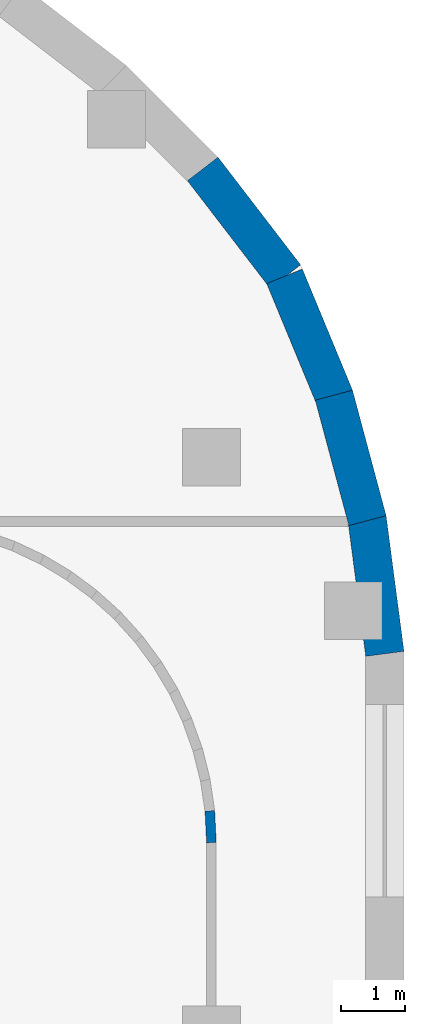
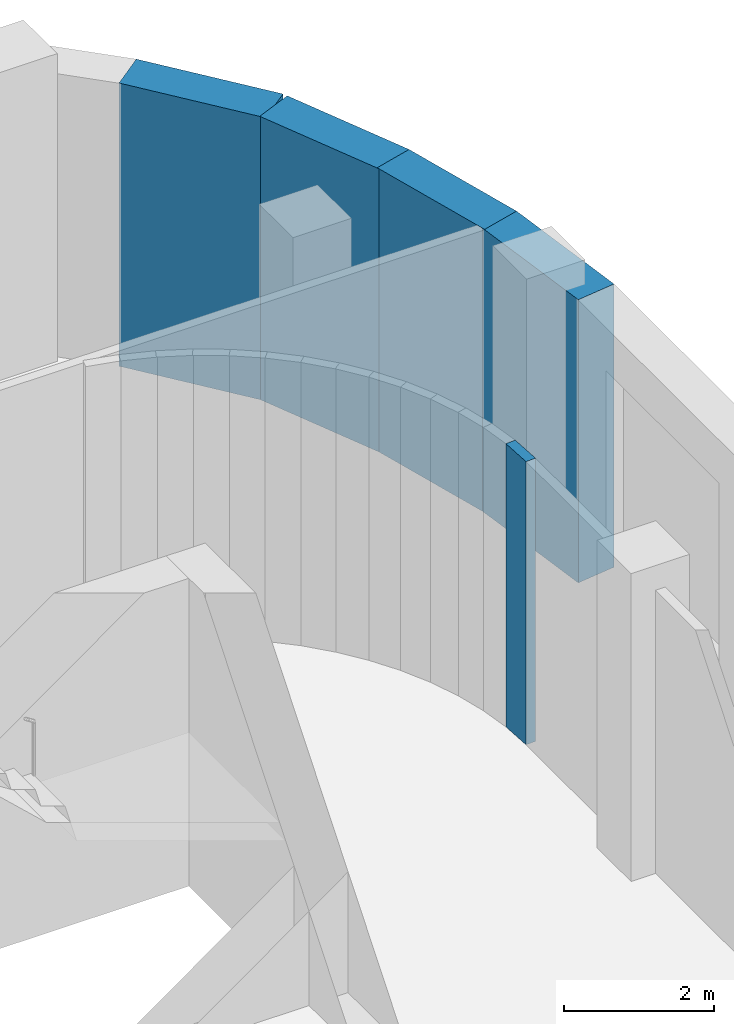
# One storey, part 22 of 25: 5 walls.
"""IFC4 building model written with IfcOpenShell, lengths in metres."""

import ifcopenshell
import ifcopenshell.guid

model = None  # the IFC model being written
_history = None  # IfcOwnerHistory: only IFC2X3 demands one
_inside = {}  # id of a spatial element -> (the spatial element, [elements in it])
_under = {}  # id of a project, library or spatial element -> (it, [spatial elements below it])
_declared = {}  # id of a project -> (the project, [libraries it declares])
_typed = {}  # id of a type object -> (the type object, [elements of that type])
_made_of = {}  # id of a material, layer set ... -> (it, [elements and type objects made of it])


def new_model(schema):
    """Start an empty IFC model of exactly this schema.

    Asked for "IFC4X3", IfcOpenShell would pick the latest addendum, in which some entities
    have other attributes; the version numbers below select the first issue.
    IFC2X3 requires an IfcOwnerHistory on every rooted entity: one is made here for all.
    """
    global model, _history
    if schema == "IFC4X3":
        model = ifcopenshell.file(schema_version=(4, 3, 0, 0))
    else:
        model = ifcopenshell.file(schema=schema)
    _inside.clear()
    _under.clear()
    _declared.clear()
    _typed.clear()
    _made_of.clear()
    _history = None
    if model.schema == "IFC2X3":
        org = make("IfcOrganization", Name="unknown")
        user = make(
            "IfcPersonAndOrganization",
            ThePerson=make("IfcPerson", FamilyName="unknown"),
            TheOrganization=org,
        )
        app = make(
            "IfcApplication",
            ApplicationDeveloper=org,
            Version="unknown",
            ApplicationFullName="unknown",
            ApplicationIdentifier="unknown",
        )
        _history = make(
            "IfcOwnerHistory",
            OwningUser=user,
            OwningApplication=app,
            ChangeAction="ADDED",
            CreationDate=0,
        )
    return model


def make(cls, **values):
    """One entity of the class cls with the attributes given. An attribute that is None is left unset."""
    return model.create_entity(
        cls, **{name: value for name, value in values.items() if value is not None}
    )


def rooted(cls, **values):
    """An entity with a GlobalId (a new one), such as an element, a storey or a relation."""
    return make(cls, GlobalId=ifcopenshell.guid.new(), OwnerHistory=_history, **values)


def si_unit(unit_type, name, prefix=None):
    """IfcSIUnit, for example si_unit("LENGTHUNIT", "METRE", prefix="MILLI")."""
    return make("IfcSIUnit", UnitType=unit_type, Prefix=prefix, Name=name)


def assignment(units):
    """IfcUnitAssignment: the units of a project."""
    return None if units is None else make("IfcUnitAssignment", Units=units)


def point(xyz):
    """IfcCartesianPoint."""
    return None if xyz is None else make("IfcCartesianPoint", Coordinates=xyz)


def direction(xyz):
    """IfcDirection."""
    return None if xyz is None else make("IfcDirection", DirectionRatios=xyz)


def frame(location, z_axis=None, x_axis=None):
    """IfcAxis2Placement3D, a coordinate frame: its origin and axes. An axis left out is left unset."""
    return make(
        "IfcAxis2Placement3D",
        Location=point(location),
        Axis=direction(z_axis),
        RefDirection=direction(x_axis),
    )


def frame_2d(location, x_axis=None):
    """IfcAxis2Placement2D, a coordinate frame in the plane: its origin and x axis."""
    return make(
        "IfcAxis2Placement2D", Location=point(location), RefDirection=direction(x_axis)
    )


def origin():
    """The frame at (0, 0, 0) with its axes left unset."""
    return frame((0.0, 0.0, 0.0))


def place(relative_to, where):
    """IfcLocalPlacement: puts the frame where relative to a parent placement (None: the world)."""
    return make(
        "IfcLocalPlacement", PlacementRelTo=relative_to, RelativePlacement=where
    )


def context(
    kind, dimensions, precision=None, world=None, true_north=None, identifier=None
):
    """IfcGeometricRepresentationContext, for example the 3D "Model" context."""
    return make(
        "IfcGeometricRepresentationContext",
        ContextIdentifier=identifier,
        ContextType=kind,
        CoordinateSpaceDimension=dimensions,
        Precision=precision,
        WorldCoordinateSystem=world,
        TrueNorth=true_north,
    )


def subcontext(parent, identifier, kind, view, scale=None):
    """IfcGeometricRepresentationSubContext, for example "Body" below "Model"."""
    return make(
        "IfcGeometricRepresentationSubContext",
        ContextIdentifier=identifier,
        ContextType=kind,
        ParentContext=parent,
        TargetScale=scale,
        TargetView=view,
    )


def project(units=None, contexts=None):
    """IfcProject with its units and contexts."""
    return rooted(
        "IfcProject",
        Name="project",
        RepresentationContexts=contexts,
        UnitsInContext=assignment(units),
    )


def spatial(cls, under=None, at=None, **own):
    """A site, building, storey or space (cls), placed at a placement, below another one or the project."""
    s = rooted(cls, ObjectPlacement=at, **own)
    if under is not None:
        _under.setdefault(under.id(), (under, []))[1].append(s)
    return s


def profile(cls, at=None, kind="AREA", **sizes):
    """A parametric profile (cls). Its sizes go by their IFC names, for example OverallWidth=200.0."""
    return make(cls, ProfileType=kind, Position=at, **sizes)


def rectangle(**sizes):
    """IfcRectangleProfileDef."""
    return profile("IfcRectangleProfileDef", **sizes)


def extrude(swept, where, along, depth):
    """IfcExtrudedAreaSolid: the profile swept, set in the frame where, extruded along a direction by depth."""
    return make(
        "IfcExtrudedAreaSolid",
        SweptArea=swept,
        Position=where,
        ExtrudedDirection=direction(along),
        Depth=depth,
    )


def shape(context_of_items, identifier, shape_type, items):
    """IfcShapeRepresentation: the items that make up one representation, for example the "Body"."""
    return make(
        "IfcShapeRepresentation",
        ContextOfItems=context_of_items,
        RepresentationIdentifier=identifier,
        RepresentationType=shape_type,
        Items=items,
    )


def material(Name=None, Category=None):
    """IfcMaterial."""
    return make("IfcMaterial", Name=Name, Category=Category)


def layer(
    of_material, thickness, ventilated=None, Name=None, Category=None, Priority=None
):
    """IfcMaterialLayer: one layer of a wall or slab, of a material (None: an air gap)."""
    return make(
        "IfcMaterialLayer",
        Material=of_material,
        LayerThickness=thickness,
        IsVentilated=ventilated,
        Name=Name,
        Category=Category,
        Priority=Priority,
    )


def layer_set(layers, Name=None):
    """IfcMaterialLayerSet."""
    return make("IfcMaterialLayerSet", MaterialLayers=layers, LayerSetName=Name)


def made_of(thing, what):
    """Note that an element or type object is made of a material, layer set ...; save() writes the relation."""
    if what is not None:
        _made_of.setdefault(what.id(), (what, []))[1].append(thing)
    return thing


def type_object(cls, material=None, **own):
    """A type object (cls), such as IfcWallType, which elements share."""
    return made_of(rooted(cls, **own), material)


def element(
    cls,
    number,
    at=None,
    inside=None,
    cuts=None,
    type_object=None,
    material=None,
    context=None,
    identifier="Body",
    shape_type=None,
    held_by="IfcProductDefinitionShape",
    body=None,
    shapes=None,
    **own,
):
    """One element of the class cls, such as IfcWall. Its Tag is "e" and its number.

    at: its placement. inside: the storey or other place that contains it. cuts: it is an
    opening in that element (IfcRelVoidsElement). A single representation is given by context,
    identifier, shape_type and body (its items); several are given by shapes. held_by: the class
    of the entity that holds the representations. save() writes the other relations.
    """
    e = rooted(cls, Tag="e%d" % number, ObjectPlacement=at, **own)
    if body is not None:
        shapes = [shape(context, identifier, shape_type, body)]
    if shapes is not None:
        e.Representation = make(held_by, Representations=shapes)
    if inside is not None:
        _inside.setdefault(inside.id(), (inside, []))[1].append(e)
    if cuts is not None:
        rooted(
            "IfcRelVoidsElement", RelatingBuildingElement=cuts, RelatedOpeningElement=e
        )
    if type_object is not None:
        _typed.setdefault(type_object.id(), (type_object, []))[1].append(e)
    return made_of(e, material)


def aggregate(whole, parts):
    """IfcRelAggregates: a whole, such as a stair, and the parts it consists of."""
    return rooted("IfcRelAggregates", RelatingObject=whole, RelatedObjects=parts)


def save(model, path):
    """Write the relations noted so far, then the file.

    IfcRelAggregates (storeys below a building ...), IfcRelContainedInSpatialStructure (elements
    in a storey), IfcRelDefinesByType, IfcRelAssociatesMaterial and IfcRelDeclares: one each for
    every whole, place, type object, material and project.
    """
    for whole, parts in _under.values():
        aggregate(whole, parts)
    for where, things in _inside.values():
        rooted(
            "IfcRelContainedInSpatialStructure",
            RelatedElements=things,
            RelatingStructure=where,
        )
    for kind, things in _typed.values():
        rooted("IfcRelDefinesByType", RelatedObjects=things, RelatingType=kind)
    for what, things in _made_of.values():
        rooted("IfcRelAssociatesMaterial", RelatedObjects=things, RelatingMaterial=what)
    for by, libraries in _declared.values():
        rooted("IfcRelDeclares", RelatingContext=by, RelatedDefinitions=libraries)
    model.write(path)


model = new_model("IFC4")

# Units and contexts
model_context = context("Model", 3, precision=1e-05, world=origin(), true_north=direction((0.0, 1.0)))
body_context = subcontext(model_context, "Body", "Model", "MODEL_VIEW")
ifc_project = project(units=[si_unit("LENGTHUNIT", "METRE"), si_unit("AREAUNIT", "SQUARE_METRE"), si_unit("VOLUMEUNIT", "CUBIC_METRE"), si_unit("PLANEANGLEUNIT", "RADIAN"), si_unit("MASSUNIT", "GRAM", prefix="KILO")], contexts=[model_context])

# Site, building, storey
site_placement = place(None, origin())
site = spatial("IfcSite", under=ifc_project, at=site_placement, CompositionType="ELEMENT")
building_placement = place(site_placement, origin())
building = spatial("IfcBuilding", under=site, at=building_placement, Name="Skarvind Civic Tower", CompositionType="ELEMENT")
storey_placement = place(building_placement, frame((0.0, 0.0, 7.5)))
storey = spatial("IfcBuildingStorey", under=building, at=storey_placement, Name="L01", CompositionType="ELEMENT", Elevation=7.5)

# Walls
ifc_material_1 = material(Name="Plasterboard partition on steel studs", Category="steel")
ifc_layer_1 = layer(ifc_material_1, 0.14990234375)
ifc_layer_set_1 = layer_set([ifc_layer_1], Name="PARTITION 150")
wall_type_1 = type_object("IfcWallType", Name="PARTITION 150", PredefinedType="PARTITIONING", material=ifc_layer_set_1)
wall_1_placement = place(storey_placement, frame((171.97607421875, 139.493896484375, 0.0), z_axis=(0.0, 0.0, 1.0), x_axis=(0.048196018647, -0.998837896651, 0.0)))
element("IfcWall", 1, at=wall_1_placement, inside=storey, type_object=wall_type_1, Name="Podium partition L01 277", PredefinedType="PARTITIONING", context=body_context, shape_type="SweptSolid", body=[
    extrude(rectangle(XDim=0.496337890625, YDim=0.14990234375, at=frame_2d((0.248046875, 0.0))), origin(), (0.0, 0.0, 1.0), 4.60009765625),
])
ifc_material_2 = material(Name="Limestone masonry cladding on insulated backing", Category="masonry")
ifc_layer_2 = layer(ifc_material_2, 0.60009765625)
ifc_layer_set_2 = layer_set([ifc_layer_2], Name="WX1 STONE FACADE WALL 600")
wall_type_2 = type_object("IfcWallType", Name="WX1 STONE FACADE WALL 600", PredefinedType="SOLIDWALL", material=ifc_layer_set_2)
wall_2_placement = place(storey_placement, frame((174.42431640625, 144.052490234375, 0.0), z_axis=(0.0, 0.0, 1.0), x_axis=(0.130558200013, -0.991440646942, 0.0)))
element("IfcWall", 2, at=wall_2_placement, inside=storey, type_object=wall_type_2, Name="STONE FACADE WALL", PredefinedType="SOLIDWALL", context=body_context, shape_type="SweptSolid", body=[
    extrude(rectangle(XDim=2.1318359375, YDim=0.60009765625, at=frame_2d((1.06591796875, 0.0))), origin(), (0.0, 0.0, 1.0), 4.60009765625),
])
wall_3_placement = place(storey_placement, frame((173.908447265625, 145.967529296875, 0.0), z_axis=(0.0, 0.0, 1.0), x_axis=(0.258804467146, -0.965929732323, 0.0)))
element("IfcWall", 3, at=wall_3_placement, inside=storey, type_object=wall_type_2, Name="STONE FACADE WALL", PredefinedType="SOLIDWALL", context=body_context, shape_type="SweptSolid", body=[
    extrude(rectangle(XDim=2.0224609375, YDim=0.60009765625, at=frame_2d((1.01123046875, 0.0))), origin(), (0.0, 0.0, 1.0), 4.60009765625),
])
wall_4_placement = place(storey_placement, frame((173.1396484375, 147.8193359375, 0.0), z_axis=(0.0, 0.0, 1.0), x_axis=(0.382341242798, -0.924021197839, 0.0)))
element("IfcWall", 4, at=wall_4_placement, inside=storey, type_object=wall_type_2, Name="STONE FACADE WALL", PredefinedType="SOLIDWALL", context=body_context, shape_type="SweptSolid", body=[
    extrude(rectangle(XDim=2.0439453125, YDim=0.60009765625, at=frame_2d((1.02197265625, 0.0))), origin(), (0.0, 0.0, 1.0), 4.60009765625),
])
wall_5_placement = place(storey_placement, frame((171.864501953125, 149.49267578125, 0.0), z_axis=(0.0, 0.0, 1.0), x_axis=(0.609052002567, -0.79313029079, 0.0)))
element("IfcWall", 5, at=wall_5_placement, inside=storey, type_object=wall_type_2, Name="STONE FACADE WALL", PredefinedType="SOLIDWALL", context=body_context, shape_type="SweptSolid", body=[
    extrude(rectangle(XDim=2.114013671875, YDim=0.60009765625, at=frame_2d((1.05712890625, 0.0))), origin(), (0.0, 0.0, 1.0), 4.60009765625),
])

save(model, "model.ifc")
